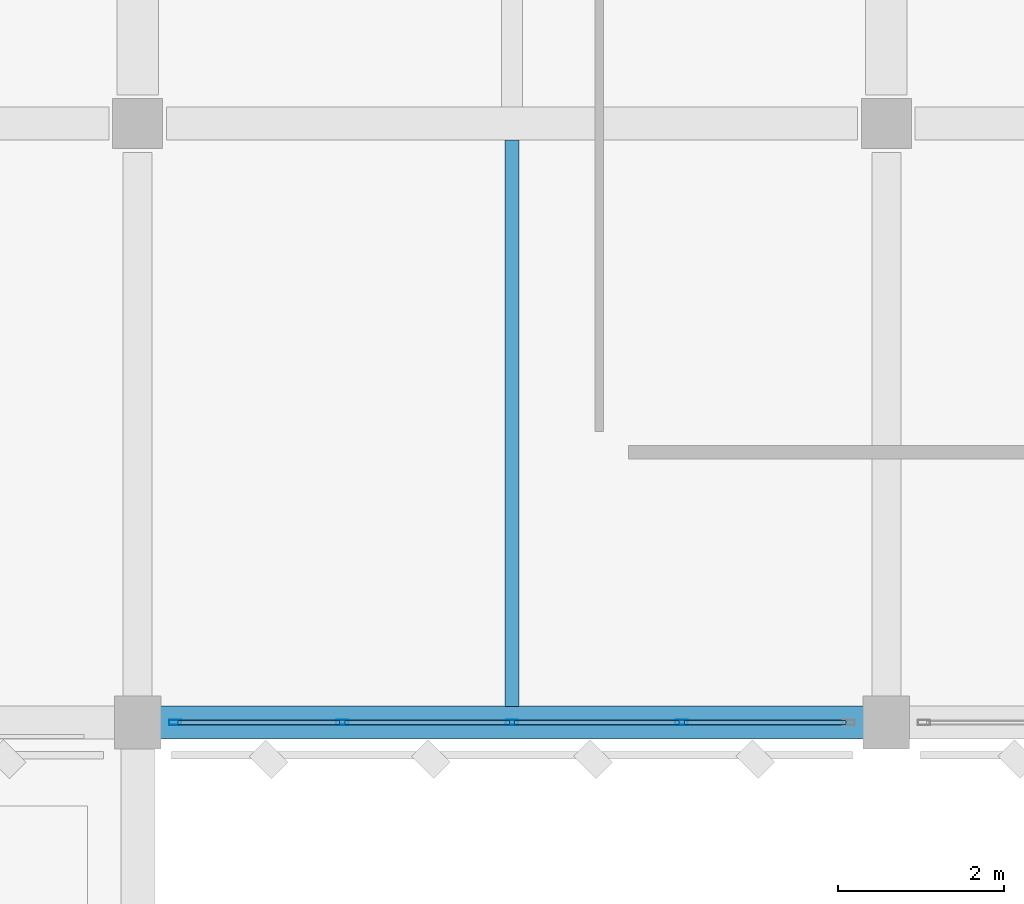
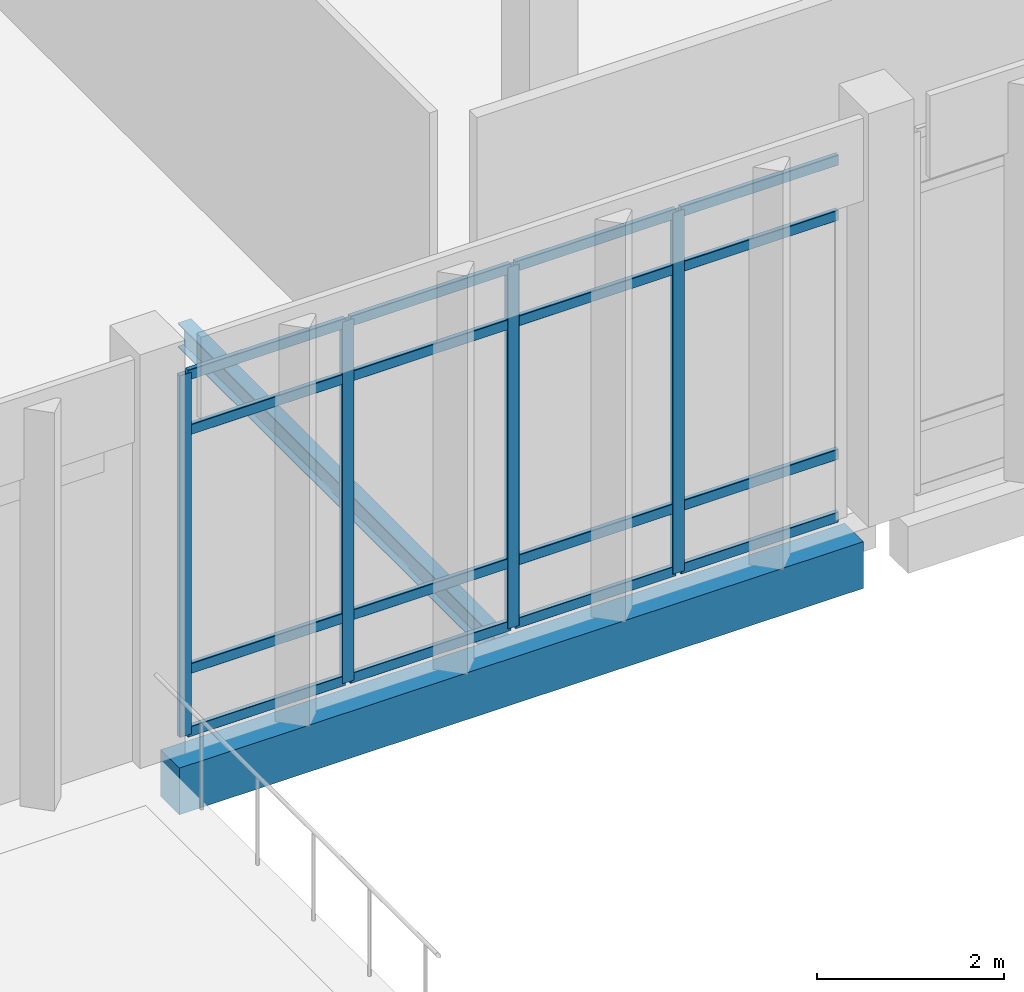
# One storey, part 83 of 180: 20 members, 2 beams, 1 element without a shape of its own.
"""IFC4 building model written with IfcOpenShell, lengths in metres."""

import ifcopenshell
import ifcopenshell.guid

model = None  # the IFC model being written
_history = None  # IfcOwnerHistory: only IFC2X3 demands one
_inside = {}  # id of a spatial element -> (the spatial element, [elements in it])
_under = {}  # id of a project, library or spatial element -> (it, [spatial elements below it])
_declared = {}  # id of a project -> (the project, [libraries it declares])
_typed = {}  # id of a type object -> (the type object, [elements of that type])
_made_of = {}  # id of a material, layer set ... -> (it, [elements and type objects made of it])


def new_model(schema):
    """Start an empty IFC model of exactly this schema.

    Asked for "IFC4X3", IfcOpenShell would pick the latest addendum, in which some entities
    have other attributes; the version numbers below select the first issue.
    IFC2X3 requires an IfcOwnerHistory on every rooted entity: one is made here for all.
    """
    global model, _history
    if schema == "IFC4X3":
        model = ifcopenshell.file(schema_version=(4, 3, 0, 0))
    else:
        model = ifcopenshell.file(schema=schema)
    _inside.clear()
    _under.clear()
    _declared.clear()
    _typed.clear()
    _made_of.clear()
    _history = None
    if model.schema == "IFC2X3":
        org = make("IfcOrganization", Name="unknown")
        user = make(
            "IfcPersonAndOrganization",
            ThePerson=make("IfcPerson", FamilyName="unknown"),
            TheOrganization=org,
        )
        app = make(
            "IfcApplication",
            ApplicationDeveloper=org,
            Version="unknown",
            ApplicationFullName="unknown",
            ApplicationIdentifier="unknown",
        )
        _history = make(
            "IfcOwnerHistory",
            OwningUser=user,
            OwningApplication=app,
            ChangeAction="ADDED",
            CreationDate=0,
        )
    return model


def make(cls, **values):
    """One entity of the class cls with the attributes given. An attribute that is None is left unset."""
    return model.create_entity(
        cls, **{name: value for name, value in values.items() if value is not None}
    )


def rooted(cls, **values):
    """An entity with a GlobalId (a new one), such as an element, a storey or a relation."""
    return make(cls, GlobalId=ifcopenshell.guid.new(), OwnerHistory=_history, **values)


def si_unit(unit_type, name, prefix=None):
    """IfcSIUnit, for example si_unit("LENGTHUNIT", "METRE", prefix="MILLI")."""
    return make("IfcSIUnit", UnitType=unit_type, Prefix=prefix, Name=name)


def assignment(units):
    """IfcUnitAssignment: the units of a project."""
    return None if units is None else make("IfcUnitAssignment", Units=units)


def point(xyz):
    """IfcCartesianPoint."""
    return None if xyz is None else make("IfcCartesianPoint", Coordinates=xyz)


def direction(xyz):
    """IfcDirection."""
    return None if xyz is None else make("IfcDirection", DirectionRatios=xyz)


def frame(location, z_axis=None, x_axis=None):
    """IfcAxis2Placement3D, a coordinate frame: its origin and axes. An axis left out is left unset."""
    return make(
        "IfcAxis2Placement3D",
        Location=point(location),
        Axis=direction(z_axis),
        RefDirection=direction(x_axis),
    )


def frame_2d(location, x_axis=None):
    """IfcAxis2Placement2D, a coordinate frame in the plane: its origin and x axis."""
    return make(
        "IfcAxis2Placement2D", Location=point(location), RefDirection=direction(x_axis)
    )


def origin():
    """The frame at (0, 0, 0) with its axes left unset."""
    return frame((0.0, 0.0, 0.0))


def origin_2d():
    """The frame at (0, 0) in the plane with its x axis left unset."""
    return frame_2d((0.0, 0.0))


def place(relative_to, where):
    """IfcLocalPlacement: puts the frame where relative to a parent placement (None: the world)."""
    return make(
        "IfcLocalPlacement", PlacementRelTo=relative_to, RelativePlacement=where
    )


def context(
    kind, dimensions, precision=None, world=None, true_north=None, identifier=None
):
    """IfcGeometricRepresentationContext, for example the 3D "Model" context."""
    return make(
        "IfcGeometricRepresentationContext",
        ContextIdentifier=identifier,
        ContextType=kind,
        CoordinateSpaceDimension=dimensions,
        Precision=precision,
        WorldCoordinateSystem=world,
        TrueNorth=true_north,
    )


def subcontext(parent, identifier, kind, view, scale=None):
    """IfcGeometricRepresentationSubContext, for example "Body" below "Model"."""
    return make(
        "IfcGeometricRepresentationSubContext",
        ContextIdentifier=identifier,
        ContextType=kind,
        ParentContext=parent,
        TargetScale=scale,
        TargetView=view,
    )


def project(units=None, contexts=None):
    """IfcProject with its units and contexts."""
    return rooted(
        "IfcProject",
        Name="project",
        RepresentationContexts=contexts,
        UnitsInContext=assignment(units),
    )


def spatial(cls, under=None, at=None, **own):
    """A site, building, storey or space (cls), placed at a placement, below another one or the project."""
    s = rooted(cls, ObjectPlacement=at, **own)
    if under is not None:
        _under.setdefault(under.id(), (under, []))[1].append(s)
    return s


def profile(cls, at=None, kind="AREA", **sizes):
    """A parametric profile (cls). Its sizes go by their IFC names, for example OverallWidth=200.0."""
    return make(cls, ProfileType=kind, Position=at, **sizes)


def rectangle(**sizes):
    """IfcRectangleProfileDef."""
    return profile("IfcRectangleProfileDef", **sizes)


def hollow_rectangle(**sizes):
    """IfcRectangleHollowProfileDef."""
    return profile("IfcRectangleHollowProfileDef", **sizes)


def i_section(**sizes):
    """IfcIShapeProfileDef."""
    return profile("IfcIShapeProfileDef", **sizes)


def extrude(swept, where, along, depth):
    """IfcExtrudedAreaSolid: the profile swept, set in the frame where, extruded along a direction by depth."""
    return make(
        "IfcExtrudedAreaSolid",
        SweptArea=swept,
        Position=where,
        ExtrudedDirection=direction(along),
        Depth=depth,
    )


def shape(context_of_items, identifier, shape_type, items):
    """IfcShapeRepresentation: the items that make up one representation, for example the "Body"."""
    return make(
        "IfcShapeRepresentation",
        ContextOfItems=context_of_items,
        RepresentationIdentifier=identifier,
        RepresentationType=shape_type,
        Items=items,
    )


def material(Name=None, Category=None):
    """IfcMaterial."""
    return make("IfcMaterial", Name=Name, Category=Category)


def material_profile(
    of_material, cross_section, Name=None, Category=None, Priority=None
):
    """IfcMaterialProfile: a cross section and its material."""
    return make(
        "IfcMaterialProfile",
        Name=Name,
        Material=of_material,
        Profile=cross_section,
        Priority=Priority,
        Category=Category,
    )


def profile_set(profiles, Name=None, composite=None):
    """IfcMaterialProfileSet."""
    return make(
        "IfcMaterialProfileSet",
        Name=Name,
        MaterialProfiles=profiles,
        CompositeProfile=composite,
    )


def made_of(thing, what):
    """Note that an element or type object is made of a material, layer set ...; save() writes the relation."""
    if what is not None:
        _made_of.setdefault(what.id(), (what, []))[1].append(thing)
    return thing


def type_object(cls, material=None, **own):
    """A type object (cls), such as IfcWallType, which elements share."""
    return made_of(rooted(cls, **own), material)


def element(
    cls,
    number,
    at=None,
    inside=None,
    cuts=None,
    type_object=None,
    material=None,
    context=None,
    identifier="Body",
    shape_type=None,
    held_by="IfcProductDefinitionShape",
    body=None,
    shapes=None,
    **own,
):
    """One element of the class cls, such as IfcWall. Its Tag is "e" and its number.

    at: its placement. inside: the storey or other place that contains it. cuts: it is an
    opening in that element (IfcRelVoidsElement). A single representation is given by context,
    identifier, shape_type and body (its items); several are given by shapes. held_by: the class
    of the entity that holds the representations. save() writes the other relations.
    """
    e = rooted(cls, Tag="e%d" % number, ObjectPlacement=at, **own)
    if body is not None:
        shapes = [shape(context, identifier, shape_type, body)]
    if shapes is not None:
        e.Representation = make(held_by, Representations=shapes)
    if inside is not None:
        _inside.setdefault(inside.id(), (inside, []))[1].append(e)
    if cuts is not None:
        rooted(
            "IfcRelVoidsElement", RelatingBuildingElement=cuts, RelatedOpeningElement=e
        )
    if type_object is not None:
        _typed.setdefault(type_object.id(), (type_object, []))[1].append(e)
    return made_of(e, material)


def aggregate(whole, parts):
    """IfcRelAggregates: a whole, such as a stair, and the parts it consists of."""
    return rooted("IfcRelAggregates", RelatingObject=whole, RelatedObjects=parts)


def save(model, path):
    """Write the relations noted so far, then the file.

    IfcRelAggregates (storeys below a building ...), IfcRelContainedInSpatialStructure (elements
    in a storey), IfcRelDefinesByType, IfcRelAssociatesMaterial and IfcRelDeclares: one each for
    every whole, place, type object, material and project.
    """
    for whole, parts in _under.values():
        aggregate(whole, parts)
    for where, things in _inside.values():
        rooted(
            "IfcRelContainedInSpatialStructure",
            RelatedElements=things,
            RelatingStructure=where,
        )
    for kind, things in _typed.values():
        rooted("IfcRelDefinesByType", RelatedObjects=things, RelatingType=kind)
    for what, things in _made_of.values():
        rooted("IfcRelAssociatesMaterial", RelatedObjects=things, RelatingMaterial=what)
    for by, libraries in _declared.values():
        rooted("IfcRelDeclares", RelatingContext=by, RelatedDefinitions=libraries)
    model.write(path)


model = new_model("IFC4")

# Units and contexts
model_context = context("Model", 3, precision=1e-05, world=origin(), true_north=direction((0.0, 1.0)))
body_context = subcontext(model_context, "Body", "Model", "MODEL_VIEW")
ifc_project = project(units=[si_unit("LENGTHUNIT", "METRE"), si_unit("AREAUNIT", "SQUARE_METRE"), si_unit("VOLUMEUNIT", "CUBIC_METRE"), si_unit("PLANEANGLEUNIT", "RADIAN"), si_unit("MASSUNIT", "GRAM", prefix="KILO")], contexts=[model_context])

# Site, building, storey
site_placement = place(None, origin())
site = spatial("IfcSite", under=ifc_project, at=site_placement, CompositionType="ELEMENT")
building_placement = place(site_placement, origin())
building = spatial("IfcBuilding", under=site, at=building_placement, Name="Lusvemor Sports Hall", CompositionType="ELEMENT")
storey_placement = place(building_placement, frame((0.0, 0.0, 5.39990234375)))
storey = spatial("IfcBuildingStorey", under=building, at=storey_placement, Name="L01", CompositionType="ELEMENT", Elevation=5.39990234375)

# Curtain wall, members
ifc_material_1 = material(Name="Thermally broken bronze-anodized aluminium", Category="aluminium")
curtain_wall_type = type_object("IfcCurtainWallType", Name="CW_WING_B", PredefinedType="NOTDEFINED", material=ifc_material_1)
curtain_wall_placement = place(storey_placement, origin())
curtain_wall = element("IfcCurtainWall", 1, at=curtain_wall_placement, inside=storey, type_object=curtain_wall_type, Name="Curtain Wall CW-L01-S-3-6", PredefinedType="NOTDEFINED")
ifc_material_2 = material(Name="Thermally broken bronze-anodized aluminium", Category="aluminium")
ifc_material_profile_1 = material_profile(ifc_material_2, hollow_rectangle(XDim=0.06494140625, YDim=0.14990234375, WallThickness=0.00390625, InnerFilletRadius=0.00390625, OuterFilletRadius=0.008056640625, at=origin_2d()), Name="CWMUL150x65x4")
ifc_profile_set_1 = profile_set([ifc_material_profile_1], Name="Thermally broken bronze-anodized aluminium")
member_type_1 = type_object("IfcMemberType", Name="CW_MUL_B", PredefinedType="MULLION", material=ifc_profile_set_1)
member_1_placement = place(storey_placement, frame((91.139892578125, 97.199951171875, 0.0), z_axis=(0.0, 0.0, 1.0), x_axis=(0.0, -1.0, 0.0)))
member_1 = element("IfcMember", 2, at=member_1_placement, type_object=member_type_1, Name="CW02 mullion 2", PredefinedType="MULLION", context=body_context, shape_type="SweptSolid", body=[
    extrude(hollow_rectangle(XDim=0.06494140625, YDim=0.14990234375, WallThickness=0.00390625, InnerFilletRadius=0.00390625, OuterFilletRadius=0.008056640625, at=origin_2d()), origin(), (0.0, 0.0, 1.0), 4.72021484375),
])
member_2_placement = place(storey_placement, frame((89.10009765625, 97.199951171875, 0.0), z_axis=(0.0, 0.0, 1.0), x_axis=(0.0, -1.0, 0.0)))
member_2 = element("IfcMember", 3, at=member_2_placement, type_object=member_type_1, Name="CW02 mullion 3", PredefinedType="MULLION", context=body_context, shape_type="SweptSolid", body=[
    extrude(hollow_rectangle(XDim=0.06494140625, YDim=0.14990234375, WallThickness=0.00390625, InnerFilletRadius=0.00390625, OuterFilletRadius=0.008056640625, at=origin_2d()), origin(), (0.0, 0.0, 1.0), 4.72021484375),
])
member_3_placement = place(storey_placement, frame((87.06005859375, 97.199951171875, 0.0), z_axis=(0.0, 0.0, 1.0), x_axis=(0.0, -1.0, 0.0)))
member_3 = element("IfcMember", 4, at=member_3_placement, type_object=member_type_1, Name="CW02 mullion 4", PredefinedType="MULLION", context=body_context, shape_type="SweptSolid", body=[
    extrude(hollow_rectangle(XDim=0.06494140625, YDim=0.14990234375, WallThickness=0.00390625, InnerFilletRadius=0.00390625, OuterFilletRadius=0.008056640625, at=origin_2d()), origin(), (0.0, 0.0, 1.0), 4.72021484375),
])
member_4_placement = place(storey_placement, frame((85.052490234375, 97.199951171875, 0.0), z_axis=(0.0, 0.0, 1.0), x_axis=(0.0, -1.0, 0.0)))
member_4 = element("IfcMember", 5, at=member_4_placement, type_object=member_type_1, Name="CW02 mullion 5", PredefinedType="MULLION", context=body_context, shape_type="SweptSolid", body=[
    extrude(hollow_rectangle(XDim=0.06494140625, YDim=0.14990234375, WallThickness=0.00390625, InnerFilletRadius=0.00390625, OuterFilletRadius=0.008056640625, at=origin_2d()), origin(), (0.0, 0.0, 1.0), 4.72021484375),
])
ifc_material_3 = material(Name="Thermally broken bronze-anodized aluminium", Category="aluminium")
ifc_material_profile_2 = material_profile(ifc_material_3, hollow_rectangle(XDim=0.06005859375, YDim=0.135009765625, WallThickness=0.00390625, InnerFilletRadius=0.00390625, OuterFilletRadius=0.008056640625, at=origin_2d()), Name="CWTRN135x60x4")
ifc_profile_set_2 = profile_set([ifc_material_profile_2], Name="Thermally broken bronze-anodized aluminium")
member_type_2 = type_object("IfcMemberType", Name="CW_TRN_B", PredefinedType="USERDEFINED", material=ifc_profile_set_2)
member_5_placement = place(storey_placement, frame((93.114990234375, 97.199951171875, 0.030029296875), z_axis=(-1.0, 0.0, 0.0), x_axis=(0.0, -1.0, 0.0)))
member_5 = element("IfcMember", 6, at=member_5_placement, type_object=member_type_2, Name="CW02 transom 1.1", ObjectType="TRANSOM", PredefinedType="USERDEFINED", context=body_context, shape_type="SweptSolid", body=[
    extrude(hollow_rectangle(XDim=0.06005859375, YDim=0.135009765625, WallThickness=0.00390625, InnerFilletRadius=0.00390625, OuterFilletRadius=0.008056640625, at=origin_2d()), origin(), (0.0, 0.0, 1.0), 1.9423828125),
])
member_6_placement = place(storey_placement, frame((93.114990234375, 97.199951171875, 0.85009765625), z_axis=(-1.0, 0.0, 0.0), x_axis=(0.0, -1.0, 0.0)))
member_6 = element("IfcMember", 7, at=member_6_placement, type_object=member_type_2, Name="CW02 transom 1.2", ObjectType="TRANSOM", PredefinedType="USERDEFINED", context=body_context, shape_type="SweptSolid", body=[
    extrude(hollow_rectangle(XDim=0.06005859375, YDim=0.135009765625, WallThickness=0.00390625, InnerFilletRadius=0.00390625, OuterFilletRadius=0.008056640625, at=origin_2d()), origin(), (0.0, 0.0, 1.0), 1.9423828125),
])
member_7_placement = place(storey_placement, frame((93.114990234375, 97.199951171875, 3.97021484375), z_axis=(-1.0, 0.0, 0.0), x_axis=(0.0, -1.0, 0.0)))
member_7 = element("IfcMember", 8, at=member_7_placement, type_object=member_type_2, Name="CW02 transom 1.3", ObjectType="TRANSOM", PredefinedType="USERDEFINED", context=body_context, shape_type="SweptSolid", body=[
    extrude(hollow_rectangle(XDim=0.06005859375, YDim=0.135009765625, WallThickness=0.00390625, InnerFilletRadius=0.00390625, OuterFilletRadius=0.008056640625, at=origin_2d()), origin(), (0.0, 0.0, 1.0), 1.9423828125),
])
member_8_placement = place(storey_placement, frame((93.114990234375, 97.199951171875, 4.690185546875), z_axis=(-1.0, 0.0, 0.0), x_axis=(0.0, -1.0, 0.0)))
member_8 = element("IfcMember", 9, at=member_8_placement, type_object=member_type_2, Name="CW02 transom 1.4", ObjectType="TRANSOM", PredefinedType="USERDEFINED", context=body_context, shape_type="SweptSolid", body=[
    extrude(hollow_rectangle(XDim=0.06005859375, YDim=0.135009765625, WallThickness=0.00390625, InnerFilletRadius=0.00390625, OuterFilletRadius=0.008056640625, at=origin_2d()), origin(), (0.0, 0.0, 1.0), 1.9423828125),
])
member_9_placement = place(storey_placement, frame((91.107421875, 97.199951171875, 0.030029296875), z_axis=(-1.0, 0.0, 0.0), x_axis=(0.0, -1.0, 0.0)))
member_9 = element("IfcMember", 10, at=member_9_placement, type_object=member_type_2, Name="CW02 transom 2.1", ObjectType="TRANSOM", PredefinedType="USERDEFINED", context=body_context, shape_type="SweptSolid", body=[
    extrude(hollow_rectangle(XDim=0.06005859375, YDim=0.135009765625, WallThickness=0.00390625, InnerFilletRadius=0.00390625, OuterFilletRadius=0.008056640625, at=origin_2d()), origin(), (0.0, 0.0, 1.0), 1.974853515625),
])
member_10_placement = place(storey_placement, frame((91.107421875, 97.199951171875, 0.85009765625), z_axis=(-1.0, 0.0, 0.0), x_axis=(0.0, -1.0, 0.0)))
member_10 = element("IfcMember", 11, at=member_10_placement, type_object=member_type_2, Name="CW02 transom 2.2", ObjectType="TRANSOM", PredefinedType="USERDEFINED", context=body_context, shape_type="SweptSolid", body=[
    extrude(hollow_rectangle(XDim=0.06005859375, YDim=0.135009765625, WallThickness=0.00390625, InnerFilletRadius=0.00390625, OuterFilletRadius=0.008056640625, at=origin_2d()), origin(), (0.0, 0.0, 1.0), 1.974853515625),
])
member_11_placement = place(storey_placement, frame((91.107421875, 97.199951171875, 3.97021484375), z_axis=(-1.0, 0.0, 0.0), x_axis=(0.0, -1.0, 0.0)))
member_11 = element("IfcMember", 12, at=member_11_placement, type_object=member_type_2, Name="CW02 transom 2.3", ObjectType="TRANSOM", PredefinedType="USERDEFINED", context=body_context, shape_type="SweptSolid", body=[
    extrude(hollow_rectangle(XDim=0.06005859375, YDim=0.135009765625, WallThickness=0.00390625, InnerFilletRadius=0.00390625, OuterFilletRadius=0.008056640625, at=origin_2d()), origin(), (0.0, 0.0, 1.0), 1.974853515625),
])
member_12_placement = place(storey_placement, frame((91.107421875, 97.199951171875, 4.690185546875), z_axis=(-1.0, 0.0, 0.0), x_axis=(0.0, -1.0, 0.0)))
member_12 = element("IfcMember", 13, at=member_12_placement, type_object=member_type_2, Name="CW02 transom 2.4", ObjectType="TRANSOM", PredefinedType="USERDEFINED", context=body_context, shape_type="SweptSolid", body=[
    extrude(hollow_rectangle(XDim=0.06005859375, YDim=0.135009765625, WallThickness=0.00390625, InnerFilletRadius=0.00390625, OuterFilletRadius=0.008056640625, at=origin_2d()), origin(), (0.0, 0.0, 1.0), 1.974853515625),
])
member_13_placement = place(storey_placement, frame((89.0673828125, 97.199951171875, 0.030029296875), z_axis=(-1.0, 0.0, 0.0), x_axis=(0.0, -1.0, 0.0)))
member_13 = element("IfcMember", 14, at=member_13_placement, type_object=member_type_2, Name="CW02 transom 3.1", ObjectType="TRANSOM", PredefinedType="USERDEFINED", context=body_context, shape_type="SweptSolid", body=[
    extrude(hollow_rectangle(XDim=0.06005859375, YDim=0.135009765625, WallThickness=0.00390625, InnerFilletRadius=0.00390625, OuterFilletRadius=0.008056640625, at=origin_2d()), origin(), (0.0, 0.0, 1.0), 1.974853515625),
])
member_14_placement = place(storey_placement, frame((89.0673828125, 97.199951171875, 0.85009765625), z_axis=(-1.0, 0.0, 0.0), x_axis=(0.0, -1.0, 0.0)))
member_14 = element("IfcMember", 15, at=member_14_placement, type_object=member_type_2, Name="CW02 transom 3.2", ObjectType="TRANSOM", PredefinedType="USERDEFINED", context=body_context, shape_type="SweptSolid", body=[
    extrude(hollow_rectangle(XDim=0.06005859375, YDim=0.135009765625, WallThickness=0.00390625, InnerFilletRadius=0.00390625, OuterFilletRadius=0.008056640625, at=origin_2d()), origin(), (0.0, 0.0, 1.0), 1.974853515625),
])
member_15_placement = place(storey_placement, frame((89.0673828125, 97.199951171875, 3.97021484375), z_axis=(-1.0, 0.0, 0.0), x_axis=(0.0, -1.0, 0.0)))
member_15 = element("IfcMember", 16, at=member_15_placement, type_object=member_type_2, Name="CW02 transom 3.3", ObjectType="TRANSOM", PredefinedType="USERDEFINED", context=body_context, shape_type="SweptSolid", body=[
    extrude(hollow_rectangle(XDim=0.06005859375, YDim=0.135009765625, WallThickness=0.00390625, InnerFilletRadius=0.00390625, OuterFilletRadius=0.008056640625, at=origin_2d()), origin(), (0.0, 0.0, 1.0), 1.974853515625),
])
member_16_placement = place(storey_placement, frame((89.0673828125, 97.199951171875, 4.690185546875), z_axis=(-1.0, 0.0, 0.0), x_axis=(0.0, -1.0, 0.0)))
member_16 = element("IfcMember", 17, at=member_16_placement, type_object=member_type_2, Name="CW02 transom 3.4", ObjectType="TRANSOM", PredefinedType="USERDEFINED", context=body_context, shape_type="SweptSolid", body=[
    extrude(hollow_rectangle(XDim=0.06005859375, YDim=0.135009765625, WallThickness=0.00390625, InnerFilletRadius=0.00390625, OuterFilletRadius=0.008056640625, at=origin_2d()), origin(), (0.0, 0.0, 1.0), 1.974853515625),
])
member_17_placement = place(storey_placement, frame((87.027587890625, 97.199951171875, 0.030029296875), z_axis=(-1.0, 0.0, 0.0), x_axis=(0.0, -1.0, 0.0)))
member_17 = element("IfcMember", 18, at=member_17_placement, type_object=member_type_2, Name="CW02 transom 4.1", ObjectType="TRANSOM", PredefinedType="USERDEFINED", context=body_context, shape_type="SweptSolid", body=[
    extrude(hollow_rectangle(XDim=0.06005859375, YDim=0.135009765625, WallThickness=0.00390625, InnerFilletRadius=0.00390625, OuterFilletRadius=0.008056640625, at=origin_2d()), origin(), (0.0, 0.0, 1.0), 1.942626953125),
])
member_18_placement = place(storey_placement, frame((87.027587890625, 97.199951171875, 0.85009765625), z_axis=(-1.0, 0.0, 0.0), x_axis=(0.0, -1.0, 0.0)))
member_18 = element("IfcMember", 19, at=member_18_placement, type_object=member_type_2, Name="CW02 transom 4.2", ObjectType="TRANSOM", PredefinedType="USERDEFINED", context=body_context, shape_type="SweptSolid", body=[
    extrude(hollow_rectangle(XDim=0.06005859375, YDim=0.135009765625, WallThickness=0.00390625, InnerFilletRadius=0.00390625, OuterFilletRadius=0.008056640625, at=origin_2d()), origin(), (0.0, 0.0, 1.0), 1.942626953125),
])
member_19_placement = place(storey_placement, frame((87.027587890625, 97.199951171875, 3.97021484375), z_axis=(-1.0, 0.0, 0.0), x_axis=(0.0, -1.0, 0.0)))
member_19 = element("IfcMember", 20, at=member_19_placement, type_object=member_type_2, Name="CW02 transom 4.3", ObjectType="TRANSOM", PredefinedType="USERDEFINED", context=body_context, shape_type="SweptSolid", body=[
    extrude(hollow_rectangle(XDim=0.06005859375, YDim=0.135009765625, WallThickness=0.00390625, InnerFilletRadius=0.00390625, OuterFilletRadius=0.008056640625, at=origin_2d()), origin(), (0.0, 0.0, 1.0), 1.942626953125),
])
member_20_placement = place(storey_placement, frame((87.027587890625, 97.199951171875, 4.690185546875), z_axis=(-1.0, 0.0, 0.0), x_axis=(0.0, -1.0, 0.0)))
member_20 = element("IfcMember", 21, at=member_20_placement, type_object=member_type_2, Name="CW02 transom 4.4", ObjectType="TRANSOM", PredefinedType="USERDEFINED", context=body_context, shape_type="SweptSolid", body=[
    extrude(hollow_rectangle(XDim=0.06005859375, YDim=0.135009765625, WallThickness=0.00390625, InnerFilletRadius=0.00390625, OuterFilletRadius=0.008056640625, at=origin_2d()), origin(), (0.0, 0.0, 1.0), 1.942626953125),
])
aggregate(curtain_wall, [member_1, member_2, member_3, member_4, member_5, member_6, member_7, member_8, member_9, member_10, member_11, member_12, member_13, member_14, member_15, member_16, member_17, member_18, member_19, member_20])

# Beams
ifc_material_4 = material(Name="Steel S355", Category="steel")
ifc_material_profile_3 = material_profile(ifc_material_4, i_section(OverallWidth=0.1669921875, OverallDepth=0.31689453125, WebThickness=0.007568359375, FlangeThickness=0.01318359375, FilletRadius=0.014892578125, at=origin_2d()), Name="W310x52.0")
ifc_profile_set_3 = profile_set([ifc_material_profile_3], Name="Steel S355")
beam_type_1 = type_object("IfcBeamType", Name="JOIST_ST_310M", PredefinedType="JOIST", material=ifc_profile_set_3)
beam_1_placement = place(storey_placement, frame((89.10009765625, 97.39599609375, -0.42236328125), z_axis=(0.0, 1.0, 0.0), x_axis=(-1.0, 0.0, 0.0)))
element("IfcBeam", 22, at=beam_1_placement, inside=storey, type_object=beam_type_1, Name="Secondary Joist L01 9-10/N-P #1", PredefinedType="JOIST", context=body_context, shape_type="SweptSolid", body=[
    extrude(i_section(OverallWidth=0.1669921875, OverallDepth=0.31689453125, WebThickness=0.007568359375, FlangeThickness=0.01318359375, FilletRadius=0.014892578125, at=origin_2d()), origin(), (0.0, 0.0, 1.0), 6.80810546875),
])
ifc_material_5 = material(Name="Concrete C40/50", Category="concrete")
ifc_material_profile_4 = material_profile(ifc_material_5, rectangle(XDim=0.39990234375, YDim=0.610107421875, at=origin_2d()), Name="RC400x610")
ifc_profile_set_4 = profile_set([ifc_material_profile_4], Name="Concrete C40/50")
beam_type_2 = type_object("IfcBeamType", Name="SPAND_EXT_650", PredefinedType="SPANDREL", material=ifc_profile_set_4)
beam_2_placement = place(storey_placement, frame((84.8759765625, 97.199951171875, -0.56494140625), z_axis=(1.0, 0.0, 0.0), x_axis=(0.0, 1.0, 0.0)))
element("IfcBeam", 23, at=beam_2_placement, inside=storey, type_object=beam_type_2, Name="Beam L01 N:9-10", PredefinedType="SPANDREL", context=body_context, shape_type="SweptSolid", body=[
    extrude(rectangle(XDim=0.39990234375, YDim=0.610107421875, at=origin_2d()), origin(), (0.0, 0.0, 1.0), 8.447998046875),
])

save(model, "model.ifc")
